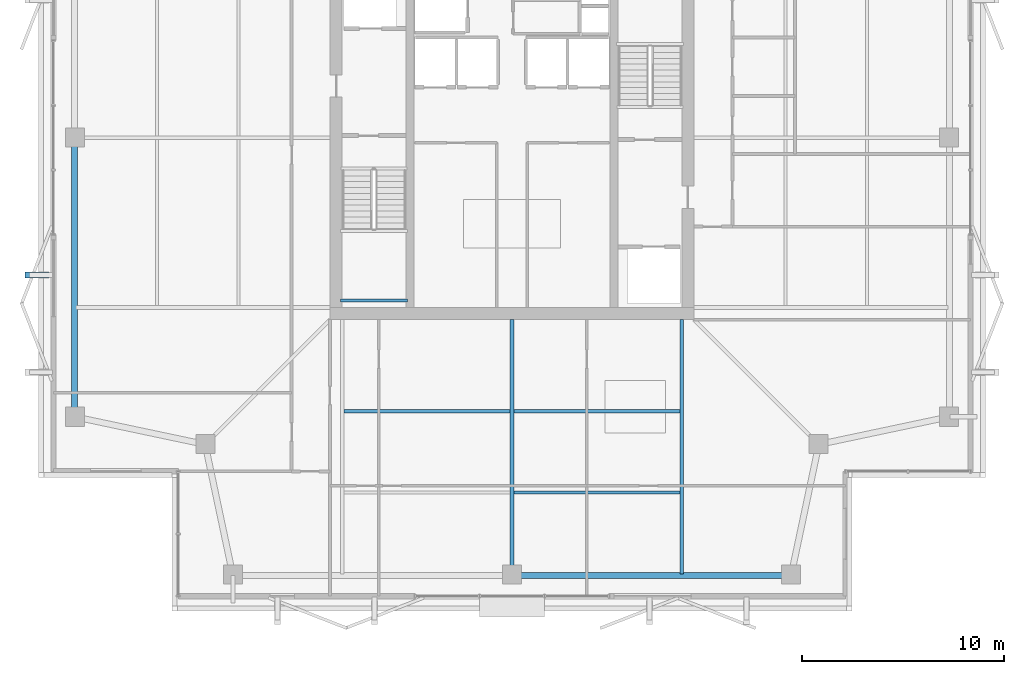
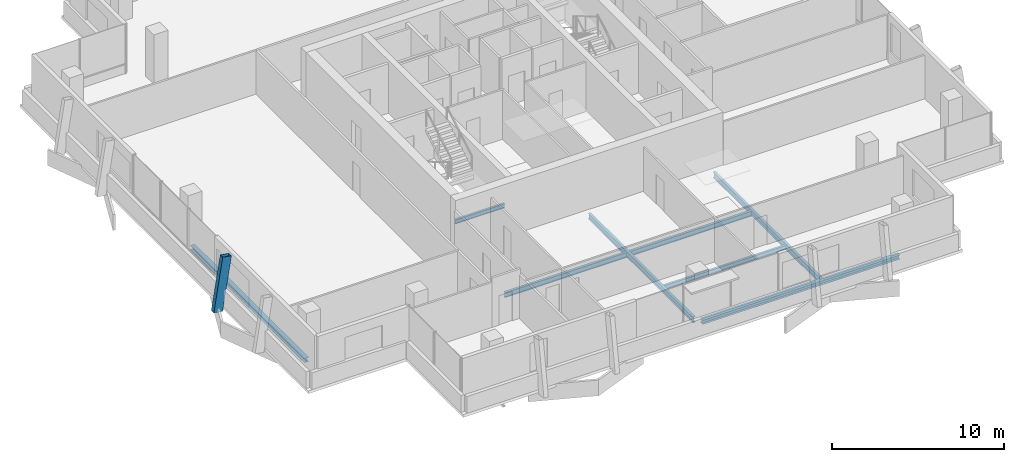
# One storey, part 5 of 26: 8 beams, 1 member.
"""IFC4 building model written with IfcOpenShell, lengths in metres."""

from ifc_helpers import new_model, si_unit, direction, frame, origin, origin_2d, place, context, subcontext, project, spatial, hollow_rectangle, i_section, extrude, material, material_profile, profile_set, type_object, element, save


model = new_model("IFC4")

# Units and contexts
model_context = context("Model", 3, precision=1e-05, world=origin(), true_north=direction((0.0, 1.0)))
body_context = subcontext(model_context, "Body", "Model", "MODEL_VIEW")
ifc_project = project(units=[si_unit("LENGTHUNIT", "METRE"), si_unit("AREAUNIT", "SQUARE_METRE"), si_unit("VOLUMEUNIT", "CUBIC_METRE"), si_unit("PLANEANGLEUNIT", "RADIAN"), si_unit("MASSUNIT", "GRAM", prefix="KILO")], contexts=[model_context])

# Site, building, storey
site_placement = place(None, origin())
site = spatial("IfcSite", under=ifc_project, at=site_placement, CompositionType="ELEMENT")
building_placement = place(site_placement, origin())
building = spatial("IfcBuilding", under=site, at=building_placement, Name="Belovzor Exchange Tower", CompositionType="ELEMENT")
storey_placement = place(building_placement, frame((0.0, 0.0, 295.5)))
storey = spatial("IfcBuildingStorey", under=building, at=storey_placement, Name="L73", CompositionType="ELEMENT", Elevation=295.5)

# Beams
ifc_material_1 = material(Name="Steel S355", Category="steel")
ifc_material_profile_1 = material_profile(ifc_material_1, i_section(OverallWidth=0.169921875, OverallDepth=0.360107421875, WebThickness=0.008056640625, FlangeThickness=0.0126953125, at=origin_2d()))
ifc_profile_set_1 = profile_set([ifc_material_profile_1], Name="Steel S355")
beam_type_1 = type_object("IfcBeamType", Name="Secondary Infill Floor Joist IPE 360", PredefinedType="BEAM", material=ifc_profile_set_1)
beam_1_placement = place(storey_placement, frame((20.489990234375, 15.277099609375, -0.419921875), z_axis=(1.0, 0.0, 0.0), x_axis=(0.0, 1.0, 0.0)))
element("IfcBeam", 1, at=beam_1_placement, inside=storey, type_object=beam_type_1, Name="FJ-360 Secondary Infill Floor Joist IPE 360", PredefinedType="BEAM", context=body_context, shape_type="SweptSolid", body=[
    extrude(i_section(OverallWidth=0.169921875, OverallDepth=0.360107421875, WebThickness=0.008056640625, FlangeThickness=0.0126953125, at=origin_2d()), origin(), (0.0, 0.0, 1.0), 8.219970703125),
])
beam_2_placement = place(storey_placement, frame((28.889892578125, 15.277099609375, -0.419921875), z_axis=(1.0, 0.0, 0.0), x_axis=(0.0, 1.0, 0.0)))
element("IfcBeam", 2, at=beam_2_placement, inside=storey, type_object=beam_type_1, Name="FJ-360 Secondary Infill Floor Joist IPE 360", PredefinedType="BEAM", context=body_context, shape_type="SweptSolid", body=[
    extrude(i_section(OverallWidth=0.169921875, OverallDepth=0.360107421875, WebThickness=0.008056640625, FlangeThickness=0.0126953125, at=origin_2d()), origin(), (0.0, 0.0, 1.0), 8.22021484375),
])
ifc_material_2 = material(Name="Steel S355", Category="steel")
ifc_material_profile_2 = material_profile(ifc_material_2, i_section(OverallWidth=0.14990234375, OverallDepth=0.300048828125, WebThickness=0.007080078125, FlangeThickness=0.0107421875, at=origin_2d()))
ifc_profile_set_2 = profile_set([ifc_material_profile_2], Name="Steel S355")
beam_type_2 = type_object("IfcBeamType", Name="Secondary Trim Floor Joist IPE 300", PredefinedType="BEAM", material=ifc_profile_set_2)
beam_3_placement = place(storey_placement, frame((20.320068359375, 20.75, 1.52490234375), z_axis=(1.0, 0.0, 0.0), x_axis=(0.0, 1.0, 0.0)))
element("IfcBeam", 3, at=beam_3_placement, inside=storey, type_object=beam_type_2, Name="FJ-300 Secondary Trim Floor Joist IPE 300", PredefinedType="BEAM", context=body_context, shape_type="SweptSolid", body=[
    extrude(i_section(OverallWidth=0.14990234375, OverallDepth=0.300048828125, WebThickness=0.007080078125, FlangeThickness=0.0107421875, at=origin_2d()), origin(), (0.0, 0.0, 1.0), 3.309814453125),
])
beam_4_placement = place(storey_placement, frame((28.889892578125, 11.256103515625, -0.389892578125), z_axis=(1.0, 0.0, 0.0), x_axis=(0.0, 1.0, 0.0)))
element("IfcBeam", 4, at=beam_4_placement, inside=storey, type_object=beam_type_2, Name="FJ-300 Secondary Trim Floor Joist IPE 300", PredefinedType="BEAM", context=body_context, shape_type="SweptSolid", body=[
    extrude(i_section(OverallWidth=0.14990234375, OverallDepth=0.300048828125, WebThickness=0.007080078125, FlangeThickness=0.0107421875, at=origin_2d()), origin(), (0.0, 0.0, 1.0), 8.22021484375),
])

# Member
ifc_material_3 = material(Name="Extruded Architectural Terracotta on Steel S355 Carrier", Category="masonry")
ifc_material_profile_3 = material_profile(ifc_material_3, hollow_rectangle(XDim=0.300048828125, YDim=0.60009765625, WallThickness=0.01611328125, at=origin_2d()))
ifc_profile_set_3 = profile_set([ifc_material_profile_3], Name="Extruded Architectural Terracotta on Steel S355 Carrier")
member_type = type_object("IfcMemberType", Name="Upper Crown Terracotta Fin Assembly 550", PredefinedType="USERDEFINED", material=ifc_profile_set_3)
member_placement = place(storey_placement, frame((5.02490234375, 22.0, -0.239990234375), z_axis=(0.158015573692, 0.0, 0.987436619977), x_axis=(0.0, 1.0, 0.0)))
element("IfcMember", 5, at=member_placement, inside=storey, type_object=member_type, Name="FIN-TC055 Terracotta Facade Fin L73 W2", ObjectType="FIN", PredefinedType="USERDEFINED", context=body_context, shape_type="SweptSolid", body=[
    extrude(hollow_rectangle(XDim=0.300048828125, YDim=0.60009765625, WallThickness=0.01611328125, at=origin_2d()), origin(), (0.0, 0.0, 1.0), 3.797607421875),
])

# Beams
ifc_material_4 = material(Name="Steel S355", Category="steel")
ifc_material_profile_4 = material_profile(ifc_material_4, i_section(OverallWidth=0.179931640625, OverallDepth=0.39990234375, WebThickness=0.008544921875, FlangeThickness=0.013427734375, at=origin_2d()))
ifc_profile_set_4 = profile_set([ifc_material_profile_4], Name="Steel S355")
beam_type_3 = type_object("IfcBeamType", Name="Zone 5-6 Radial Composite Floor Beam IPE 400", PredefinedType="BEAM", material=ifc_profile_set_4)
beam_5_placement = place(storey_placement, frame((28.800048828125, 19.800048828125, -0.43994140625), z_axis=(0.0, -1.0, 0.0), x_axis=(1.0, 0.0, 0.0)))
element("IfcBeam", 6, at=beam_5_placement, inside=storey, type_object=beam_type_3, Name="FB-400 Zone 5-6 Radial Composite Floor Beam IPE 400", PredefinedType="BEAM", context=body_context, shape_type="SweptSolid", body=[
    extrude(i_section(OverallWidth=0.179931640625, OverallDepth=0.39990234375, WebThickness=0.008544921875, FlangeThickness=0.013427734375, at=origin_2d()), origin(), (0.0, 0.0, 1.0), 12.22607421875),
])
beam_6_placement = place(storey_placement, frame((37.199951171875, 19.800048828125, -0.43994140625), z_axis=(0.0, -1.0, 0.0), x_axis=(1.0, 0.0, 0.0)))
element("IfcBeam", 7, at=beam_6_placement, inside=storey, type_object=beam_type_3, Name="FB-400 Zone 5-6 Radial Composite Floor Beam IPE 400", PredefinedType="BEAM", context=body_context, shape_type="SweptSolid", body=[
    extrude(i_section(OverallWidth=0.179931640625, OverallDepth=0.39990234375, WebThickness=0.008544921875, FlangeThickness=0.013427734375, at=origin_2d()), origin(), (0.0, 0.0, 1.0), 12.56396484375),
])
ifc_material_5 = material(Name="Steel S355", Category="steel")
ifc_material_profile_5 = material_profile(ifc_material_5, i_section(OverallWidth=0.300048828125, OverallDepth=0.300048828125, WebThickness=0.008544921875, FlangeThickness=0.013916015625, at=origin_2d()))
ifc_profile_set_5 = profile_set([ifc_material_profile_5], Name="Steel S355")
beam_type_4 = type_object("IfcBeamType", Name="Zone 6 Primary Girder HEA 300", PredefinedType="BEAM", material=ifc_profile_set_5)
for number, where, z_axis, x_axis, name in (
    (8, (29.06103515625, 7.160888671875, -0.389892578125), (1.0, 0.0, 0.0), (0.0, 1.0, 0.0), "FG-Z6 Zone 6 Primary Girder HEA 300"),
    (9, (7.160888671875, 28.5390625, -0.389892578125), (0.0, -1.0, 0.0), (1.0, 0.0, 0.0), "FG-Z6 Zone 6 Primary Girder HEA 300"),
):
    element("IfcBeam", number, at=place(storey_placement, frame(where, z_axis=z_axis, x_axis=x_axis)), inside=storey, type_object=beam_type_4, Name=name, PredefinedType="BEAM", context=body_context, shape_type="SweptSolid", body=[
        extrude(i_section(OverallWidth=0.300048828125, OverallDepth=0.300048828125, WebThickness=0.008544921875, FlangeThickness=0.013916015625, at=origin_2d()), origin(), (0.0, 0.0, 1.0), 13.278076171875),
    ])

save(model, "model.ifc")
